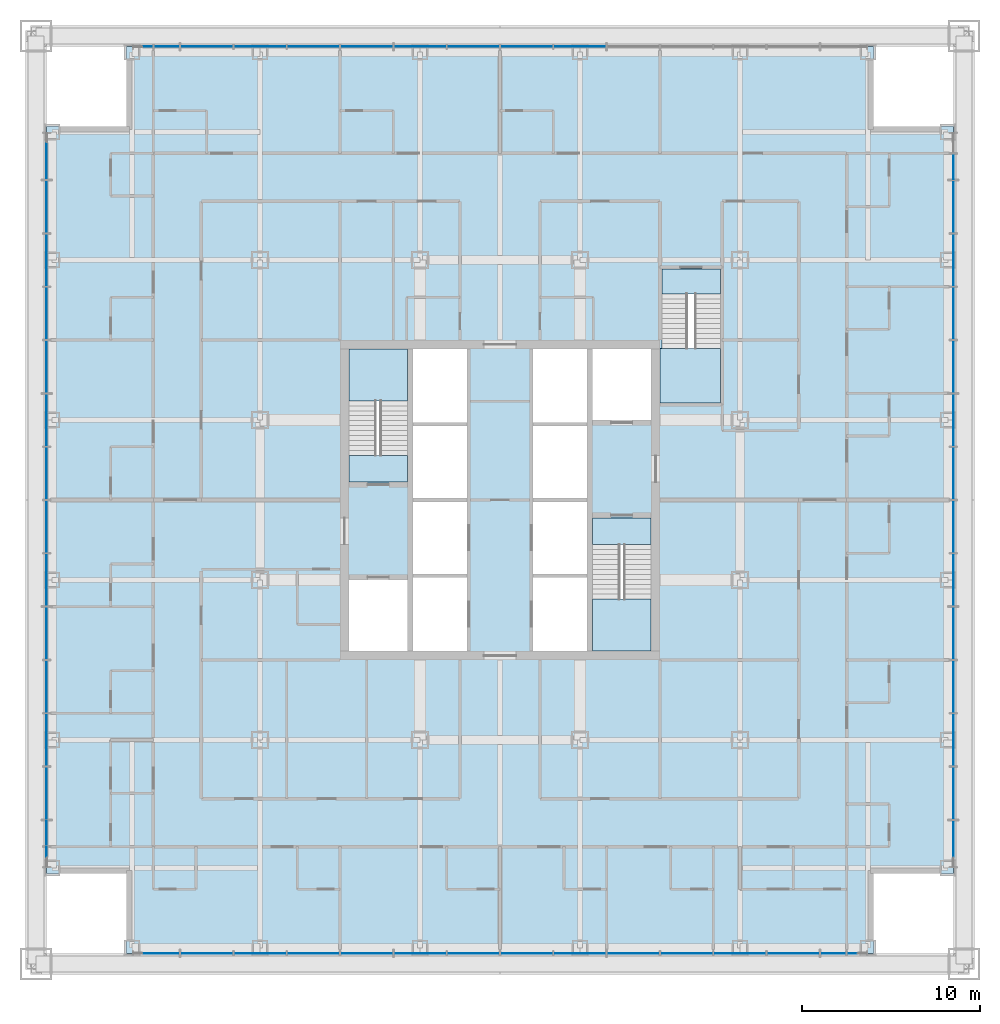
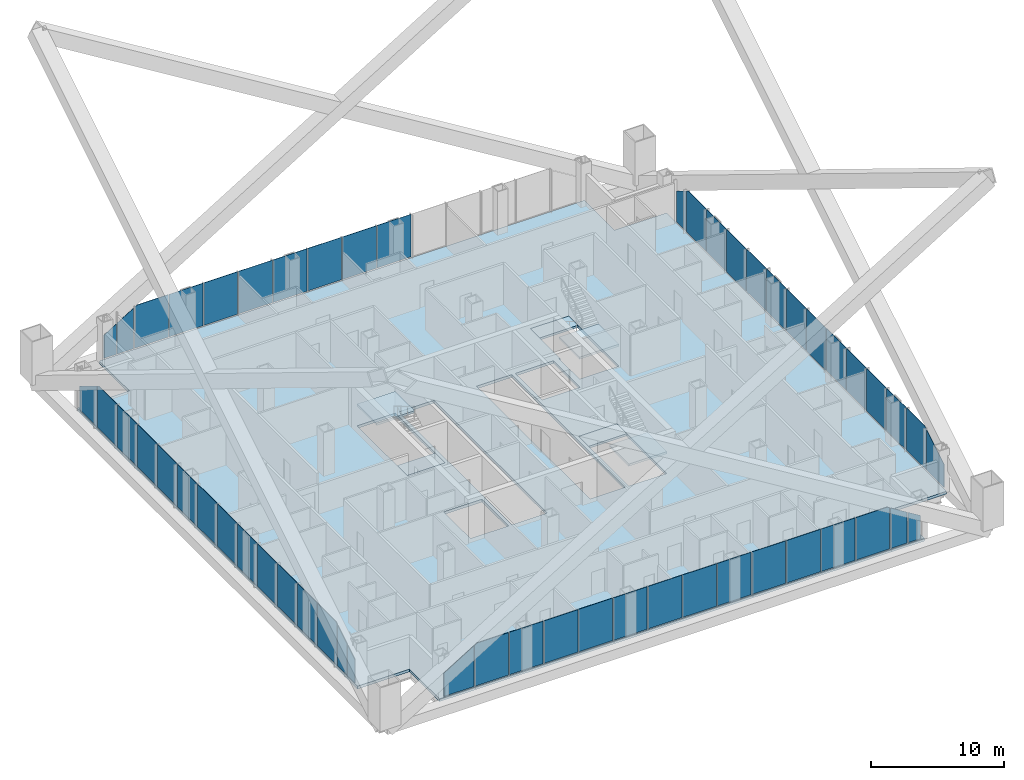
# One storey, part 11 of 21: 54 plates, 7 slabs, 7 elements without a shape of their own.
"""IFC4 building model written with IfcOpenShell, lengths in metres."""

from ifc_helpers import new_model, si_unit, direction, frame, origin, origin_2d, place, context, subcontext, project, spatial, polyline, rectangle, outline, extrude, material, layer, layer_set, type_object, element, aggregate, save


model = new_model("IFC4")

# Units and contexts
model_context = context("Model", 3, precision=1e-05, world=origin(), true_north=direction((0.0, 1.0)))
body_context = subcontext(model_context, "Body", "Model", "MODEL_VIEW")
ifc_project = project(units=[si_unit("LENGTHUNIT", "METRE"), si_unit("AREAUNIT", "SQUARE_METRE"), si_unit("VOLUMEUNIT", "CUBIC_METRE"), si_unit("PLANEANGLEUNIT", "RADIAN"), si_unit("MASSUNIT", "GRAM", prefix="KILO")], contexts=[model_context])

# Site, building, storey
site_placement = place(None, origin())
site = spatial("IfcSite", under=ifc_project, at=site_placement, CompositionType="ELEMENT")
building_placement = place(site_placement, origin())
building = spatial("IfcBuilding", under=site, at=building_placement, Name="Malebo Sky Hospital", CompositionType="ELEMENT")
storey_placement = place(building_placement, frame((0.0, 0.0, 31.0)))
storey = spatial("IfcBuildingStorey", under=building, at=storey_placement, Name="L06", CompositionType="ELEMENT", Elevation=31.0)

# Slab
ifc_material_1 = material(Name="Concrete C40/50", Category="concrete")
ifc_layer_1 = layer(ifc_material_1, 0.25)
ifc_layer_set_1 = layer_set([ifc_layer_1], Name="COMPOSITE FLOOR SLAB 250")
slab_type_1 = type_object("IfcSlabType", Name="COMPOSITE FLOOR SLAB 250", PredefinedType="FLOOR", material=ifc_layer_set_1)
slab_1_placement = place(storey_placement, frame((0.0, 0.0, -0.25)))
element("IfcSlab", 1, at=slab_1_placement, inside=storey, type_object=slab_type_1, Name="Floor slab L06", PredefinedType="FLOOR", context=body_context, shape_type="SweptSolid", body=[
    extrude(outline(polyline([(39.0, 87.5), (39.0, 83.0), (34.5, 83.0), (34.5, 41.0), (39.0, 41.0), (39.0, 36.5), (81.0, 36.5), (81.0, 41.0), (85.5, 41.0), (85.5, 83.0), (81.0, 83.0), (81.0, 87.5), (39.0, 87.5)]), holes=[polyline([(55.10009765625, 70.5), (58.14990234375, 70.5), (58.14990234375, 53.5), (55.10009765625, 53.5), (55.10009765625, 70.5)]), polyline([(64.89990234375, 70.5), (64.89990234375, 53.5), (61.85009765625, 53.5), (61.85009765625, 70.5), (64.89990234375, 70.5)]), polyline([(54.800048828125, 63.0), (51.5, 63.0), (51.5, 70.5), (54.800048828125, 70.5), (54.800048828125, 63.0)]), polyline([(51.5, 53.5), (51.5, 57.5), (54.800048828125, 57.5), (54.800048828125, 53.5), (51.5, 53.5)]), polyline([(65.199951171875, 61.0), (68.5, 61.0), (68.5, 53.5), (65.199951171875, 53.5), (65.199951171875, 61.0)]), polyline([(68.5, 70.5), (68.5, 66.5), (65.199951171875, 66.5), (65.199951171875, 70.5), (68.5, 70.5)]), polyline([(69.0, 67.449951171875), (69.0, 70.52001953125), (69.10009765625, 70.52001953125), (69.10009765625, 75.0), (72.39990234375, 75.0), (72.39990234375, 67.449951171875), (69.10009765625, 67.449951171875), (69.0, 67.449951171875)])]), origin(), (0.0, 0.0, 1.0), 0.25),
])

# Stair, slabs
stair_type_1 = type_object("IfcStairType", Name="HALF-TURN STAIR 1500 R167", PredefinedType="HALF_TURN_STAIR", material=ifc_material_1)
stair_1_placement = place(storey_placement, origin())
stair_1 = element("IfcStair", 2, at=stair_1_placement, inside=storey, type_object=stair_type_1, Name="Stair S1 L06 type ST1", PredefinedType="HALF_TURN_STAIR")
ifc_layer_2 = layer(ifc_material_1, 0.199951171875)
ifc_layer_set_2 = layer_set([ifc_layer_2], Name="STAIR LANDING 200")
slab_type_2 = type_object("IfcSlabType", Name="STAIR LANDING 200", PredefinedType="LANDING", material=ifc_layer_set_2)
slab_2_placement = place(storey_placement, frame((0.0, 0.0, -0.199951171875)))
slab_2 = element("IfcSlab", 3, at=slab_2_placement, type_object=slab_type_2, Name="S1 landing 1", PredefinedType="LANDING", context=body_context, shape_type="SweptSolid", body=[
    extrude(outline(polyline([(51.5, 63.0), (54.800048828125, 63.0), (54.800048828125, 64.5), (51.5, 64.5), (51.5, 63.0)])), origin(), (0.0, 0.0, 1.0), 0.199951171875),
])
slab_3_placement = place(storey_placement, frame((0.0, 0.0, 1.800048828125)))
slab_3 = element("IfcSlab", 4, at=slab_3_placement, type_object=slab_type_2, Name="S1 landing 2", PredefinedType="LANDING", context=body_context, shape_type="SweptSolid", body=[
    extrude(outline(polyline([(51.5, 67.580078125), (54.800048828125, 67.580078125), (54.800048828125, 70.5), (51.5, 70.5), (51.5, 67.580078125)])), origin(), (0.0, 0.0, 1.0), 0.199951171875),
])
aggregate(stair_1, [slab_2, slab_3])

stair_2_placement = place(storey_placement, origin())
stair_2 = element("IfcStair", 5, at=stair_2_placement, inside=storey, type_object=stair_type_1, Name="Stair S2 L06 type ST1", PredefinedType="HALF_TURN_STAIR")
slab_4_placement = place(storey_placement, frame((0.0, 0.0, -0.199951171875)))
slab_4 = element("IfcSlab", 6, at=slab_4_placement, type_object=slab_type_2, Name="S2 landing 1", PredefinedType="LANDING", context=body_context, shape_type="SweptSolid", body=[
    extrude(outline(polyline([(65.199951171875, 59.5), (68.5, 59.5), (68.5, 61.0), (65.199951171875, 61.0), (65.199951171875, 59.5)])), origin(), (0.0, 0.0, 1.0), 0.199951171875),
])
slab_5_placement = place(storey_placement, frame((0.0, 0.0, 1.800048828125)))
slab_5 = element("IfcSlab", 7, at=slab_5_placement, type_object=slab_type_2, Name="S2 landing 2", PredefinedType="LANDING", context=body_context, shape_type="SweptSolid", body=[
    extrude(outline(polyline([(65.199951171875, 53.5), (68.5, 53.5), (68.5, 56.419921875), (65.199951171875, 56.419921875), (65.199951171875, 53.5)])), origin(), (0.0, 0.0, 1.0), 0.199951171875),
])
aggregate(stair_2, [slab_4, slab_5])

stair_type_2 = type_object("IfcStairType", Name="HALF-TURN STAIR 1400 R167", PredefinedType="HALF_TURN_STAIR", material=ifc_material_1)
stair_3_placement = place(storey_placement, origin())
stair_3 = element("IfcStair", 8, at=stair_3_placement, inside=storey, type_object=stair_type_2, Name="Stair S3 L06 type ST1B", PredefinedType="HALF_TURN_STAIR")
slab_6_placement = place(storey_placement, frame((0.0, 0.0, -0.199951171875)))
slab_6 = element("IfcSlab", 9, at=slab_6_placement, type_object=slab_type_2, Name="S3 landing 1", PredefinedType="LANDING", context=body_context, shape_type="SweptSolid", body=[
    extrude(outline(polyline([(69.10009765625, 73.60009765625), (72.39990234375, 73.60009765625), (72.39990234375, 75.0), (69.10009765625, 75.0), (69.10009765625, 73.60009765625)])), origin(), (0.0, 0.0, 1.0), 0.199951171875),
])
slab_7_placement = place(storey_placement, frame((0.0, 0.0, 1.800048828125)))
slab_7 = element("IfcSlab", 10, at=slab_7_placement, type_object=slab_type_2, Name="S3 landing 2", PredefinedType="LANDING", context=body_context, shape_type="SweptSolid", body=[
    extrude(outline(polyline([(69.0, 67.449951171875), (72.39990234375, 67.449951171875), (72.39990234375, 70.52001953125), (69.0, 70.52001953125), (69.0, 67.449951171875)])), origin(), (0.0, 0.0, 1.0), 0.199951171875),
])
aggregate(stair_3, [slab_6, slab_7])

# Curtain wall, plates
ifc_material_2 = material(Name="Anodised aluminium, natural silver", Category="aluminium")
ifc_layer_3 = layer(ifc_material_2, 0.25)
ifc_layer_set_3 = layer_set([ifc_layer_3], Name="WARD CURTAIN WALL NORTH AND SOUTH")
curtain_wall_type_1 = type_object("IfcCurtainWallType", Name="WARD CURTAIN WALL NORTH AND SOUTH", PredefinedType="NOTDEFINED", material=ifc_layer_set_3)
curtain_wall_1_placement = place(storey_placement, origin())
curtain_wall_1 = element("IfcCurtainWall", 11, at=curtain_wall_1_placement, inside=storey, type_object=curtain_wall_type_1, Name="NS curtain wall N", PredefinedType="NOTDEFINED")
ifc_material_3 = material(Name="Clear low-iron double glazing", Category="glass")
ifc_layer_4 = layer(ifc_material_3, 0.031982421875)
ifc_layer_set_4 = layer_set([ifc_layer_4], Name="VISION PANEL CLEAR 32")
plate_type = type_object("IfcPlateType", Name="VISION PANEL CLEAR 32", PredefinedType="CURTAIN_PANEL", material=ifc_layer_set_4)
plate_1_placement = place(storey_placement, frame((39.918701171875, 87.5, 0.099853515625), z_axis=(0.0, 0.0, 1.0), x_axis=(1.0, 0.0, 0.0)))
plate_1 = element("IfcPlate", 12, at=plate_1_placement, type_object=plate_type, Name="Panel 1", PredefinedType="CURTAIN_PANEL", context=body_context, shape_type="SweptSolid", body=[
    extrude(outline(polyline([(-0.543701171875, 0.0), (0.543701171875, 0.0), (0.543701171875, 2.78955078125), (-0.543701171875, 2.122802734375), (-0.543701171875, 0.0)])), frame((0.0, 0.01611328125, 0.0), z_axis=(0.0, -1.0, 0.0), x_axis=(1.0, 0.0, 0.0)), (0.0, 0.0, 1.0), 0.031982421875),
])
plate_2_placement = place(storey_placement, frame((41.25, 87.5, 0.10009765625), z_axis=(0.0, 0.0, 1.0), x_axis=(1.0, 0.0, 0.0)))
plate_2 = element("IfcPlate", 13, at=plate_2_placement, type_object=plate_type, Name="Panel 2", PredefinedType="CURTAIN_PANEL", context=body_context, shape_type="SweptSolid", body=[
    extrude(outline(polyline([(-0.71240234375, 0.0), (0.71240234375, 0.0), (0.71240234375, 3.708984375), (-0.71240234375, 2.83544921875), (-0.71240234375, 0.0)])), frame((0.0, 0.01611328125, 0.0), z_axis=(0.0, -1.0, 0.0), x_axis=(1.0, 0.0, 0.0)), (0.0, 0.0, 1.0), 0.031982421875),
])
plate_3_placement = place(storey_placement, frame((43.5, 87.5, 0.10009765625), z_axis=(0.0, 0.0, 1.0), x_axis=(1.0, 0.0, 0.0)))
plate_3 = element("IfcPlate", 14, at=plate_3_placement, type_object=plate_type, Name="Panel 3", PredefinedType="CURTAIN_PANEL", context=body_context, shape_type="SweptSolid", body=[
    extrude(outline(polyline([(-1.46240234375, 0.0), (1.46240234375, 0.0), (1.46240234375, 3.889892578125), (-1.2421875, 3.889892578125), (-1.46240234375, 3.7548828125), (-1.46240234375, 0.0)])), frame((0.0, 0.01611328125, 0.0), z_axis=(0.0, -1.0, 0.0), x_axis=(1.0, 0.0, 0.0)), (0.0, 0.0, 1.0), 0.031982421875),
])
plate_4_placement = place(storey_placement, frame((46.5, 87.5, 0.10009765625), z_axis=(0.0, 0.0, 1.0), x_axis=(1.0, 0.0, 0.0)))
plate_4 = element("IfcPlate", 15, at=plate_4_placement, type_object=plate_type, Name="Panel 4", PredefinedType="CURTAIN_PANEL", context=body_context, shape_type="SweptSolid", body=[
    extrude(rectangle(XDim=2.925048828125, YDim=0.031982421875, at=origin_2d()), origin(), (0.0, 0.0, 1.0), 3.889892578125),
])
plate_5_placement = place(storey_placement, frame((49.5, 87.5, 0.10009765625), z_axis=(0.0, 0.0, 1.0), x_axis=(1.0, 0.0, 0.0)))
plate_5 = element("IfcPlate", 16, at=plate_5_placement, type_object=plate_type, Name="Panel 5", PredefinedType="CURTAIN_PANEL", context=body_context, shape_type="SweptSolid", body=[
    extrude(rectangle(XDim=2.925048828125, YDim=0.031982421875, at=origin_2d()), origin(), (0.0, 0.0, 1.0), 3.889892578125),
])
plate_6_placement = place(storey_placement, frame((52.5, 87.5, 0.10009765625), z_axis=(0.0, 0.0, 1.0), x_axis=(1.0, 0.0, 0.0)))
plate_6 = element("IfcPlate", 17, at=plate_6_placement, type_object=plate_type, Name="Panel 6", PredefinedType="CURTAIN_PANEL", context=body_context, shape_type="SweptSolid", body=[
    extrude(rectangle(XDim=2.925048828125, YDim=0.031982421875, at=origin_2d()), origin(), (0.0, 0.0, 1.0), 3.889892578125),
])
plate_7_placement = place(storey_placement, frame((55.5, 87.5, 0.10009765625), z_axis=(0.0, 0.0, 1.0), x_axis=(1.0, 0.0, 0.0)))
plate_7 = element("IfcPlate", 18, at=plate_7_placement, type_object=plate_type, Name="Panel 7", PredefinedType="CURTAIN_PANEL", context=body_context, shape_type="SweptSolid", body=[
    extrude(rectangle(XDim=2.925048828125, YDim=0.031982421875, at=origin_2d()), origin(), (0.0, 0.0, 1.0), 3.889892578125),
])
plate_8_placement = place(storey_placement, frame((58.5, 87.5, 0.10009765625), z_axis=(0.0, 0.0, 1.0), x_axis=(1.0, 0.0, 0.0)))
plate_8 = element("IfcPlate", 19, at=plate_8_placement, type_object=plate_type, Name="Panel 8", PredefinedType="CURTAIN_PANEL", context=body_context, shape_type="SweptSolid", body=[
    extrude(rectangle(XDim=2.925048828125, YDim=0.031982421875, at=origin_2d()), origin(), (0.0, 0.0, 1.0), 3.889892578125),
])
plate_9_placement = place(storey_placement, frame((61.5, 87.5, 0.10009765625), z_axis=(0.0, 0.0, 1.0), x_axis=(1.0, 0.0, 0.0)))
plate_9 = element("IfcPlate", 20, at=plate_9_placement, type_object=plate_type, Name="Panel 9", PredefinedType="CURTAIN_PANEL", context=body_context, shape_type="SweptSolid", body=[
    extrude(rectangle(XDim=2.925048828125, YDim=0.031982421875, at=origin_2d()), origin(), (0.0, 0.0, 1.0), 3.889892578125),
])
plate_10_placement = place(storey_placement, frame((64.5, 87.5, 0.10009765625), z_axis=(0.0, 0.0, 1.0), x_axis=(1.0, 0.0, 0.0)))
plate_10 = element("IfcPlate", 21, at=plate_10_placement, type_object=plate_type, Name="Panel 10", PredefinedType="CURTAIN_PANEL", context=body_context, shape_type="SweptSolid", body=[
    extrude(rectangle(XDim=2.925048828125, YDim=0.031982421875, at=origin_2d()), origin(), (0.0, 0.0, 1.0), 3.889892578125),
])
aggregate(curtain_wall_1, [plate_1, plate_2, plate_3, plate_4, plate_5, plate_6, plate_7, plate_8, plate_9, plate_10])

ifc_layer_5 = layer(ifc_material_2, 0.25)
ifc_layer_set_5 = layer_set([ifc_layer_5], Name="WARD CURTAIN WALL EAST AND WEST")
curtain_wall_type_2 = type_object("IfcCurtainWallType", Name="WARD CURTAIN WALL EAST AND WEST", PredefinedType="NOTDEFINED", material=ifc_layer_set_5)
curtain_wall_2_placement = place(storey_placement, origin())
curtain_wall_2 = element("IfcCurtainWall", 22, at=curtain_wall_2_placement, inside=storey, type_object=curtain_wall_type_2, Name="EW curtain wall W", PredefinedType="NOTDEFINED")
plate_11_placement = place(storey_placement, frame((34.5, 41.918701171875, 0.099853515625), z_axis=(0.0, 0.0, 1.0), x_axis=(0.0, 1.0, 0.0)))
plate_11 = element("IfcPlate", 23, at=plate_11_placement, type_object=plate_type, Name="Panel 1", PredefinedType="CURTAIN_PANEL", context=body_context, shape_type="SweptSolid", body=[
    extrude(outline(polyline([(-0.543701171875, 0.0), (0.543701171875, 0.0), (0.543701171875, 2.78955078125), (-0.543701171875, 2.122802734375), (-0.543701171875, 0.0)])), frame((0.0, 0.01611328125, 0.0), z_axis=(0.0, -1.0, 0.0), x_axis=(1.0, 0.0, 0.0)), (0.0, 0.0, 1.0), 0.031982421875),
])
plate_12_placement = place(storey_placement, frame((34.5, 43.25, 0.10009765625), z_axis=(0.0, 0.0, 1.0), x_axis=(0.0, 1.0, 0.0)))
plate_12 = element("IfcPlate", 24, at=plate_12_placement, type_object=plate_type, Name="Panel 2", PredefinedType="CURTAIN_PANEL", context=body_context, shape_type="SweptSolid", body=[
    extrude(outline(polyline([(-0.71240234375, 0.0), (0.71240234375, 0.0), (0.71240234375, 3.708984375), (-0.71240234375, 2.83544921875), (-0.71240234375, 0.0)])), frame((0.0, 0.01611328125, 0.0), z_axis=(0.0, -1.0, 0.0), x_axis=(1.0, 0.0, 0.0)), (0.0, 0.0, 1.0), 0.031982421875),
])
plate_13_placement = place(storey_placement, frame((34.5, 45.5, 0.10009765625), z_axis=(0.0, 0.0, 1.0), x_axis=(0.0, 1.0, 0.0)))
plate_13 = element("IfcPlate", 25, at=plate_13_placement, type_object=plate_type, Name="Panel 3", PredefinedType="CURTAIN_PANEL", context=body_context, shape_type="SweptSolid", body=[
    extrude(outline(polyline([(-1.46240234375, 0.0), (1.46240234375, 0.0), (1.46240234375, 3.889892578125), (-1.2421875, 3.889892578125), (-1.46240234375, 3.7548828125), (-1.46240234375, 0.0)])), frame((0.0, 0.01611328125, 0.0), z_axis=(0.0, -1.0, 0.0), x_axis=(1.0, 0.0, 0.0)), (0.0, 0.0, 1.0), 0.031982421875),
])
plate_14_placement = place(storey_placement, frame((34.5, 48.5, 0.10009765625), z_axis=(0.0, 0.0, 1.0), x_axis=(0.0, 1.0, 0.0)))
plate_14 = element("IfcPlate", 26, at=plate_14_placement, type_object=plate_type, Name="Panel 4", PredefinedType="CURTAIN_PANEL", context=body_context, shape_type="SweptSolid", body=[
    extrude(rectangle(XDim=2.925048828125, YDim=0.031982421875, at=origin_2d()), origin(), (0.0, 0.0, 1.0), 3.889892578125),
])
plate_15_placement = place(storey_placement, frame((34.5, 51.5, 0.10009765625), z_axis=(0.0, 0.0, 1.0), x_axis=(0.0, 1.0, 0.0)))
plate_15 = element("IfcPlate", 27, at=plate_15_placement, type_object=plate_type, Name="Panel 5", PredefinedType="CURTAIN_PANEL", context=body_context, shape_type="SweptSolid", body=[
    extrude(rectangle(XDim=2.925048828125, YDim=0.031982421875, at=origin_2d()), origin(), (0.0, 0.0, 1.0), 3.889892578125),
])
plate_16_placement = place(storey_placement, frame((34.5, 54.5, 0.10009765625), z_axis=(0.0, 0.0, 1.0), x_axis=(0.0, 1.0, 0.0)))
plate_16 = element("IfcPlate", 28, at=plate_16_placement, type_object=plate_type, Name="Panel 6", PredefinedType="CURTAIN_PANEL", context=body_context, shape_type="SweptSolid", body=[
    extrude(rectangle(XDim=2.925048828125, YDim=0.031982421875, at=origin_2d()), origin(), (0.0, 0.0, 1.0), 3.889892578125),
])
plate_17_placement = place(storey_placement, frame((34.5, 57.5, 0.10009765625), z_axis=(0.0, 0.0, 1.0), x_axis=(0.0, 1.0, 0.0)))
plate_17 = element("IfcPlate", 29, at=plate_17_placement, type_object=plate_type, Name="Panel 7", PredefinedType="CURTAIN_PANEL", context=body_context, shape_type="SweptSolid", body=[
    extrude(rectangle(XDim=2.925048828125, YDim=0.031982421875, at=origin_2d()), origin(), (0.0, 0.0, 1.0), 3.889892578125),
])
plate_18_placement = place(storey_placement, frame((34.5, 60.5, 0.10009765625), z_axis=(0.0, 0.0, 1.0), x_axis=(0.0, 1.0, 0.0)))
plate_18 = element("IfcPlate", 30, at=plate_18_placement, type_object=plate_type, Name="Panel 8", PredefinedType="CURTAIN_PANEL", context=body_context, shape_type="SweptSolid", body=[
    extrude(rectangle(XDim=2.925048828125, YDim=0.031982421875, at=origin_2d()), origin(), (0.0, 0.0, 1.0), 3.889892578125),
])
plate_19_placement = place(storey_placement, frame((34.5, 63.5, 0.10009765625), z_axis=(0.0, 0.0, 1.0), x_axis=(0.0, 1.0, 0.0)))
plate_19 = element("IfcPlate", 31, at=plate_19_placement, type_object=plate_type, Name="Panel 9", PredefinedType="CURTAIN_PANEL", context=body_context, shape_type="SweptSolid", body=[
    extrude(rectangle(XDim=2.925048828125, YDim=0.031982421875, at=origin_2d()), origin(), (0.0, 0.0, 1.0), 3.889892578125),
])
plate_20_placement = place(storey_placement, frame((34.5, 66.5, 0.10009765625), z_axis=(0.0, 0.0, 1.0), x_axis=(0.0, 1.0, 0.0)))
plate_20 = element("IfcPlate", 32, at=plate_20_placement, type_object=plate_type, Name="Panel 10", PredefinedType="CURTAIN_PANEL", context=body_context, shape_type="SweptSolid", body=[
    extrude(rectangle(XDim=2.925048828125, YDim=0.031982421875, at=origin_2d()), origin(), (0.0, 0.0, 1.0), 3.889892578125),
])
plate_21_placement = place(storey_placement, frame((34.5, 69.5, 0.10009765625), z_axis=(0.0, 0.0, 1.0), x_axis=(0.0, 1.0, 0.0)))
plate_21 = element("IfcPlate", 33, at=plate_21_placement, type_object=plate_type, Name="Panel 11", PredefinedType="CURTAIN_PANEL", context=body_context, shape_type="SweptSolid", body=[
    extrude(rectangle(XDim=2.925048828125, YDim=0.031982421875, at=origin_2d()), origin(), (0.0, 0.0, 1.0), 3.889892578125),
])
plate_22_placement = place(storey_placement, frame((34.5, 72.5, 0.10009765625), z_axis=(0.0, 0.0, 1.0), x_axis=(0.0, 1.0, 0.0)))
plate_22 = element("IfcPlate", 34, at=plate_22_placement, type_object=plate_type, Name="Panel 12", PredefinedType="CURTAIN_PANEL", context=body_context, shape_type="SweptSolid", body=[
    extrude(rectangle(XDim=2.925048828125, YDim=0.031982421875, at=origin_2d()), origin(), (0.0, 0.0, 1.0), 3.889892578125),
])
plate_23_placement = place(storey_placement, frame((34.5, 75.5, 0.10009765625), z_axis=(0.0, 0.0, 1.0), x_axis=(0.0, 1.0, 0.0)))
plate_23 = element("IfcPlate", 35, at=plate_23_placement, type_object=plate_type, Name="Panel 13", PredefinedType="CURTAIN_PANEL", context=body_context, shape_type="SweptSolid", body=[
    extrude(rectangle(XDim=2.925048828125, YDim=0.031982421875, at=origin_2d()), origin(), (0.0, 0.0, 1.0), 3.889892578125),
])
plate_24_placement = place(storey_placement, frame((34.5, 78.5, 0.10009765625), z_axis=(0.0, 0.0, 1.0), x_axis=(0.0, 1.0, 0.0)))
plate_24 = element("IfcPlate", 36, at=plate_24_placement, type_object=plate_type, Name="Panel 14", PredefinedType="CURTAIN_PANEL", context=body_context, shape_type="SweptSolid", body=[
    extrude(outline(polyline([(-1.46240234375, 0.0), (1.46240234375, 0.0), (1.46240234375, 3.7548828125), (1.2421875, 3.889892578125), (-1.46240234375, 3.889892578125), (-1.46240234375, 0.0)])), frame((0.0, 0.01611328125, 0.0), z_axis=(0.0, -1.0, 0.0), x_axis=(1.0, 0.0, 0.0)), (0.0, 0.0, 1.0), 0.031982421875),
])
plate_25_placement = place(storey_placement, frame((34.5, 81.331298828125, 0.10009765625), z_axis=(0.0, 0.0, 1.0), x_axis=(0.0, 1.0, 0.0)))
plate_25 = element("IfcPlate", 37, at=plate_25_placement, type_object=plate_type, Name="Panel 15", PredefinedType="CURTAIN_PANEL", context=body_context, shape_type="SweptSolid", body=[
    extrude(outline(polyline([(-1.293701171875, 0.0), (1.293701171875, 0.0), (1.293701171875, 2.122802734375), (-1.293701171875, 3.708984375), (-1.293701171875, 0.0)])), frame((0.0, 0.01611328125, 0.0), z_axis=(0.0, -1.0, 0.0), x_axis=(1.0, 0.0, 0.0)), (0.0, 0.0, 1.0), 0.031982421875),
])
aggregate(curtain_wall_2, [plate_11, plate_12, plate_13, plate_14, plate_15, plate_16, plate_17, plate_18, plate_19, plate_20, plate_21, plate_22, plate_23, plate_24, plate_25])

curtain_wall_3_placement = place(storey_placement, origin())
curtain_wall_3 = element("IfcCurtainWall", 38, at=curtain_wall_3_placement, inside=storey, type_object=curtain_wall_type_1, Name="NS curtain wall S", PredefinedType="NOTDEFINED")
plate_26_placement = place(storey_placement, frame((80.081298828125, 36.5, 0.099853515625), z_axis=(0.0, 0.0, 1.0), x_axis=(-1.0, 0.0, 0.0)))
plate_26 = element("IfcPlate", 39, at=plate_26_placement, type_object=plate_type, Name="Panel 1", PredefinedType="CURTAIN_PANEL", context=body_context, shape_type="SweptSolid", body=[
    extrude(outline(polyline([(-0.543701171875, 0.0), (0.543701171875, 0.0), (0.543701171875, 2.78955078125), (-0.543701171875, 2.122802734375), (-0.543701171875, 0.0)])), frame((0.0, 0.01611328125, 0.0), z_axis=(0.0, -1.0, 0.0), x_axis=(1.0, 0.0, 0.0)), (0.0, 0.0, 1.0), 0.031982421875),
])
plate_27_placement = place(storey_placement, frame((78.75, 36.5, 0.10009765625), z_axis=(0.0, 0.0, 1.0), x_axis=(-1.0, 0.0, 0.0)))
plate_27 = element("IfcPlate", 40, at=plate_27_placement, type_object=plate_type, Name="Panel 2", PredefinedType="CURTAIN_PANEL", context=body_context, shape_type="SweptSolid", body=[
    extrude(outline(polyline([(-0.71240234375, 0.0), (0.71240234375, 0.0), (0.71240234375, 3.708984375), (-0.71240234375, 2.83544921875), (-0.71240234375, 0.0)])), frame((0.0, 0.01611328125, 0.0), z_axis=(0.0, -1.0, 0.0), x_axis=(1.0, 0.0, 0.0)), (0.0, 0.0, 1.0), 0.031982421875),
])
plate_28_placement = place(storey_placement, frame((76.5, 36.5, 0.10009765625), z_axis=(0.0, 0.0, 1.0), x_axis=(-1.0, 0.0, 0.0)))
plate_28 = element("IfcPlate", 41, at=plate_28_placement, type_object=plate_type, Name="Panel 3", PredefinedType="CURTAIN_PANEL", context=body_context, shape_type="SweptSolid", body=[
    extrude(outline(polyline([(-1.46240234375, 0.0), (1.46240234375, 0.0), (1.46240234375, 3.889892578125), (-1.2421875, 3.889892578125), (-1.46240234375, 3.7548828125), (-1.46240234375, 0.0)])), frame((0.0, 0.01611328125, 0.0), z_axis=(0.0, -1.0, 0.0), x_axis=(1.0, 0.0, 0.0)), (0.0, 0.0, 1.0), 0.031982421875),
])
plate_29_placement = place(storey_placement, frame((73.5, 36.5, 0.10009765625), z_axis=(0.0, 0.0, 1.0), x_axis=(-1.0, 0.0, 0.0)))
plate_29 = element("IfcPlate", 42, at=plate_29_placement, type_object=plate_type, Name="Panel 4", PredefinedType="CURTAIN_PANEL", context=body_context, shape_type="SweptSolid", body=[
    extrude(rectangle(XDim=2.925048828125, YDim=0.031982421875, at=origin_2d()), origin(), (0.0, 0.0, 1.0), 3.889892578125),
])
plate_30_placement = place(storey_placement, frame((70.5, 36.5, 0.10009765625), z_axis=(0.0, 0.0, 1.0), x_axis=(-1.0, 0.0, 0.0)))
plate_30 = element("IfcPlate", 43, at=plate_30_placement, type_object=plate_type, Name="Panel 5", PredefinedType="CURTAIN_PANEL", context=body_context, shape_type="SweptSolid", body=[
    extrude(rectangle(XDim=2.925048828125, YDim=0.031982421875, at=origin_2d()), origin(), (0.0, 0.0, 1.0), 3.889892578125),
])
plate_31_placement = place(storey_placement, frame((67.5, 36.5, 0.10009765625), z_axis=(0.0, 0.0, 1.0), x_axis=(-1.0, 0.0, 0.0)))
plate_31 = element("IfcPlate", 44, at=plate_31_placement, type_object=plate_type, Name="Panel 6", PredefinedType="CURTAIN_PANEL", context=body_context, shape_type="SweptSolid", body=[
    extrude(rectangle(XDim=2.925048828125, YDim=0.031982421875, at=origin_2d()), origin(), (0.0, 0.0, 1.0), 3.889892578125),
])
plate_32_placement = place(storey_placement, frame((64.5, 36.5, 0.10009765625), z_axis=(0.0, 0.0, 1.0), x_axis=(-1.0, 0.0, 0.0)))
plate_32 = element("IfcPlate", 45, at=plate_32_placement, type_object=plate_type, Name="Panel 7", PredefinedType="CURTAIN_PANEL", context=body_context, shape_type="SweptSolid", body=[
    extrude(rectangle(XDim=2.925048828125, YDim=0.031982421875, at=origin_2d()), origin(), (0.0, 0.0, 1.0), 3.889892578125),
])
plate_33_placement = place(storey_placement, frame((61.5, 36.5, 0.10009765625), z_axis=(0.0, 0.0, 1.0), x_axis=(-1.0, 0.0, 0.0)))
plate_33 = element("IfcPlate", 46, at=plate_33_placement, type_object=plate_type, Name="Panel 8", PredefinedType="CURTAIN_PANEL", context=body_context, shape_type="SweptSolid", body=[
    extrude(rectangle(XDim=2.925048828125, YDim=0.031982421875, at=origin_2d()), origin(), (0.0, 0.0, 1.0), 3.889892578125),
])
plate_34_placement = place(storey_placement, frame((58.5, 36.5, 0.10009765625), z_axis=(0.0, 0.0, 1.0), x_axis=(-1.0, 0.0, 0.0)))
plate_34 = element("IfcPlate", 47, at=plate_34_placement, type_object=plate_type, Name="Panel 9", PredefinedType="CURTAIN_PANEL", context=body_context, shape_type="SweptSolid", body=[
    extrude(rectangle(XDim=2.925048828125, YDim=0.031982421875, at=origin_2d()), origin(), (0.0, 0.0, 1.0), 3.889892578125),
])
plate_35_placement = place(storey_placement, frame((55.5, 36.5, 0.10009765625), z_axis=(0.0, 0.0, 1.0), x_axis=(-1.0, 0.0, 0.0)))
plate_35 = element("IfcPlate", 48, at=plate_35_placement, type_object=plate_type, Name="Panel 10", PredefinedType="CURTAIN_PANEL", context=body_context, shape_type="SweptSolid", body=[
    extrude(rectangle(XDim=2.925048828125, YDim=0.031982421875, at=origin_2d()), origin(), (0.0, 0.0, 1.0), 3.889892578125),
])
plate_36_placement = place(storey_placement, frame((52.5, 36.5, 0.10009765625), z_axis=(0.0, 0.0, 1.0), x_axis=(-1.0, 0.0, 0.0)))
plate_36 = element("IfcPlate", 49, at=plate_36_placement, type_object=plate_type, Name="Panel 11", PredefinedType="CURTAIN_PANEL", context=body_context, shape_type="SweptSolid", body=[
    extrude(rectangle(XDim=2.925048828125, YDim=0.031982421875, at=origin_2d()), origin(), (0.0, 0.0, 1.0), 3.889892578125),
])
plate_37_placement = place(storey_placement, frame((49.5, 36.5, 0.10009765625), z_axis=(0.0, 0.0, 1.0), x_axis=(-1.0, 0.0, 0.0)))
plate_37 = element("IfcPlate", 50, at=plate_37_placement, type_object=plate_type, Name="Panel 12", PredefinedType="CURTAIN_PANEL", context=body_context, shape_type="SweptSolid", body=[
    extrude(rectangle(XDim=2.925048828125, YDim=0.031982421875, at=origin_2d()), origin(), (0.0, 0.0, 1.0), 3.889892578125),
])
plate_38_placement = place(storey_placement, frame((46.5, 36.5, 0.10009765625), z_axis=(0.0, 0.0, 1.0), x_axis=(-1.0, 0.0, 0.0)))
plate_38 = element("IfcPlate", 51, at=plate_38_placement, type_object=plate_type, Name="Panel 13", PredefinedType="CURTAIN_PANEL", context=body_context, shape_type="SweptSolid", body=[
    extrude(rectangle(XDim=2.925048828125, YDim=0.031982421875, at=origin_2d()), origin(), (0.0, 0.0, 1.0), 3.889892578125),
])
plate_39_placement = place(storey_placement, frame((43.5, 36.5, 0.10009765625), z_axis=(0.0, 0.0, 1.0), x_axis=(-1.0, 0.0, 0.0)))
plate_39 = element("IfcPlate", 52, at=plate_39_placement, type_object=plate_type, Name="Panel 14", PredefinedType="CURTAIN_PANEL", context=body_context, shape_type="SweptSolid", body=[
    extrude(outline(polyline([(-1.46240234375, 0.0), (1.46240234375, 0.0), (1.46240234375, 3.7548828125), (1.2421875, 3.889892578125), (-1.46240234375, 3.889892578125), (-1.46240234375, 0.0)])), frame((0.0, 0.01611328125, 0.0), z_axis=(0.0, -1.0, 0.0), x_axis=(1.0, 0.0, 0.0)), (0.0, 0.0, 1.0), 0.031982421875),
])
plate_40_placement = place(storey_placement, frame((40.668701171875, 36.5, 0.10009765625), z_axis=(0.0, 0.0, 1.0), x_axis=(-1.0, 0.0, 0.0)))
plate_40 = element("IfcPlate", 53, at=plate_40_placement, type_object=plate_type, Name="Panel 15", PredefinedType="CURTAIN_PANEL", context=body_context, shape_type="SweptSolid", body=[
    extrude(outline(polyline([(-1.293701171875, 0.0), (1.293701171875, 0.0), (1.293701171875, 2.122802734375), (-1.293701171875, 3.708984375), (-1.293701171875, 0.0)])), frame((0.0, 0.01611328125, 0.0), z_axis=(0.0, -1.0, 0.0), x_axis=(1.0, 0.0, 0.0)), (0.0, 0.0, 1.0), 0.031982421875),
])
aggregate(curtain_wall_3, [plate_26, plate_27, plate_28, plate_29, plate_30, plate_31, plate_32, plate_33, plate_34, plate_35, plate_36, plate_37, plate_38, plate_39, plate_40])

curtain_wall_4_placement = place(storey_placement, origin())
curtain_wall_4 = element("IfcCurtainWall", 54, at=curtain_wall_4_placement, inside=storey, type_object=curtain_wall_type_2, Name="EW curtain wall E", PredefinedType="NOTDEFINED")
plate_41_placement = place(storey_placement, frame((85.5, 80.75, 0.10009765625), z_axis=(0.0, 0.0, 1.0), x_axis=(0.0, -1.0, 0.0)))
plate_41 = element("IfcPlate", 55, at=plate_41_placement, type_object=plate_type, Name="Panel 2", PredefinedType="CURTAIN_PANEL", context=body_context, shape_type="SweptSolid", body=[
    extrude(outline(polyline([(-0.71240234375, 0.0), (0.71240234375, 0.0), (0.71240234375, 3.708984375), (-0.71240234375, 2.83544921875), (-0.71240234375, 0.0)])), frame((0.0, 0.01611328125, 0.0), z_axis=(0.0, -1.0, 0.0), x_axis=(1.0, 0.0, 0.0)), (0.0, 0.0, 1.0), 0.031982421875),
])
plate_42_placement = place(storey_placement, frame((85.5, 78.5, 0.10009765625), z_axis=(0.0, 0.0, 1.0), x_axis=(0.0, -1.0, 0.0)))
plate_42 = element("IfcPlate", 56, at=plate_42_placement, type_object=plate_type, Name="Panel 3", PredefinedType="CURTAIN_PANEL", context=body_context, shape_type="SweptSolid", body=[
    extrude(outline(polyline([(-1.46240234375, 0.0), (1.46240234375, 0.0), (1.46240234375, 3.889892578125), (-1.2421875, 3.889892578125), (-1.46240234375, 3.7548828125), (-1.46240234375, 0.0)])), frame((0.0, 0.01611328125, 0.0), z_axis=(0.0, -1.0, 0.0), x_axis=(1.0, 0.0, 0.0)), (0.0, 0.0, 1.0), 0.031982421875),
])
plate_43_placement = place(storey_placement, frame((85.5, 75.5, 0.10009765625), z_axis=(0.0, 0.0, 1.0), x_axis=(0.0, -1.0, 0.0)))
plate_43 = element("IfcPlate", 57, at=plate_43_placement, type_object=plate_type, Name="Panel 4", PredefinedType="CURTAIN_PANEL", context=body_context, shape_type="SweptSolid", body=[
    extrude(rectangle(XDim=2.925048828125, YDim=0.031982421875, at=origin_2d()), origin(), (0.0, 0.0, 1.0), 3.889892578125),
])
plate_44_placement = place(storey_placement, frame((85.5, 72.5, 0.10009765625), z_axis=(0.0, 0.0, 1.0), x_axis=(0.0, -1.0, 0.0)))
plate_44 = element("IfcPlate", 58, at=plate_44_placement, type_object=plate_type, Name="Panel 5", PredefinedType="CURTAIN_PANEL", context=body_context, shape_type="SweptSolid", body=[
    extrude(rectangle(XDim=2.925048828125, YDim=0.031982421875, at=origin_2d()), origin(), (0.0, 0.0, 1.0), 3.889892578125),
])
plate_45_placement = place(storey_placement, frame((85.5, 69.5, 0.10009765625), z_axis=(0.0, 0.0, 1.0), x_axis=(0.0, -1.0, 0.0)))
plate_45 = element("IfcPlate", 59, at=plate_45_placement, type_object=plate_type, Name="Panel 6", PredefinedType="CURTAIN_PANEL", context=body_context, shape_type="SweptSolid", body=[
    extrude(rectangle(XDim=2.925048828125, YDim=0.031982421875, at=origin_2d()), origin(), (0.0, 0.0, 1.0), 3.889892578125),
])
plate_46_placement = place(storey_placement, frame((85.5, 66.5, 0.10009765625), z_axis=(0.0, 0.0, 1.0), x_axis=(0.0, -1.0, 0.0)))
plate_46 = element("IfcPlate", 60, at=plate_46_placement, type_object=plate_type, Name="Panel 7", PredefinedType="CURTAIN_PANEL", context=body_context, shape_type="SweptSolid", body=[
    extrude(rectangle(XDim=2.925048828125, YDim=0.031982421875, at=origin_2d()), origin(), (0.0, 0.0, 1.0), 3.889892578125),
])
plate_47_placement = place(storey_placement, frame((85.5, 63.5, 0.10009765625), z_axis=(0.0, 0.0, 1.0), x_axis=(0.0, -1.0, 0.0)))
plate_47 = element("IfcPlate", 61, at=plate_47_placement, type_object=plate_type, Name="Panel 8", PredefinedType="CURTAIN_PANEL", context=body_context, shape_type="SweptSolid", body=[
    extrude(rectangle(XDim=2.925048828125, YDim=0.031982421875, at=origin_2d()), origin(), (0.0, 0.0, 1.0), 3.889892578125),
])
plate_48_placement = place(storey_placement, frame((85.5, 60.5, 0.10009765625), z_axis=(0.0, 0.0, 1.0), x_axis=(0.0, -1.0, 0.0)))
plate_48 = element("IfcPlate", 62, at=plate_48_placement, type_object=plate_type, Name="Panel 9", PredefinedType="CURTAIN_PANEL", context=body_context, shape_type="SweptSolid", body=[
    extrude(rectangle(XDim=2.925048828125, YDim=0.031982421875, at=origin_2d()), origin(), (0.0, 0.0, 1.0), 3.889892578125),
])
plate_49_placement = place(storey_placement, frame((85.5, 57.5, 0.10009765625), z_axis=(0.0, 0.0, 1.0), x_axis=(0.0, -1.0, 0.0)))
plate_49 = element("IfcPlate", 63, at=plate_49_placement, type_object=plate_type, Name="Panel 10", PredefinedType="CURTAIN_PANEL", context=body_context, shape_type="SweptSolid", body=[
    extrude(rectangle(XDim=2.925048828125, YDim=0.031982421875, at=origin_2d()), origin(), (0.0, 0.0, 1.0), 3.889892578125),
])
plate_50_placement = place(storey_placement, frame((85.5, 54.5, 0.10009765625), z_axis=(0.0, 0.0, 1.0), x_axis=(0.0, -1.0, 0.0)))
plate_50 = element("IfcPlate", 64, at=plate_50_placement, type_object=plate_type, Name="Panel 11", PredefinedType="CURTAIN_PANEL", context=body_context, shape_type="SweptSolid", body=[
    extrude(rectangle(XDim=2.925048828125, YDim=0.031982421875, at=origin_2d()), origin(), (0.0, 0.0, 1.0), 3.889892578125),
])
plate_51_placement = place(storey_placement, frame((85.5, 51.5, 0.10009765625), z_axis=(0.0, 0.0, 1.0), x_axis=(0.0, -1.0, 0.0)))
plate_51 = element("IfcPlate", 65, at=plate_51_placement, type_object=plate_type, Name="Panel 12", PredefinedType="CURTAIN_PANEL", context=body_context, shape_type="SweptSolid", body=[
    extrude(rectangle(XDim=2.925048828125, YDim=0.031982421875, at=origin_2d()), origin(), (0.0, 0.0, 1.0), 3.889892578125),
])
plate_52_placement = place(storey_placement, frame((85.5, 48.5, 0.10009765625), z_axis=(0.0, 0.0, 1.0), x_axis=(0.0, -1.0, 0.0)))
plate_52 = element("IfcPlate", 66, at=plate_52_placement, type_object=plate_type, Name="Panel 13", PredefinedType="CURTAIN_PANEL", context=body_context, shape_type="SweptSolid", body=[
    extrude(rectangle(XDim=2.925048828125, YDim=0.031982421875, at=origin_2d()), origin(), (0.0, 0.0, 1.0), 3.889892578125),
])
plate_53_placement = place(storey_placement, frame((85.5, 45.5, 0.10009765625), z_axis=(0.0, 0.0, 1.0), x_axis=(0.0, -1.0, 0.0)))
plate_53 = element("IfcPlate", 67, at=plate_53_placement, type_object=plate_type, Name="Panel 14", PredefinedType="CURTAIN_PANEL", context=body_context, shape_type="SweptSolid", body=[
    extrude(outline(polyline([(-1.46240234375, 0.0), (1.46240234375, 0.0), (1.46240234375, 3.7548828125), (1.2421875, 3.889892578125), (-1.46240234375, 3.889892578125), (-1.46240234375, 0.0)])), frame((0.0, 0.01611328125, 0.0), z_axis=(0.0, -1.0, 0.0), x_axis=(1.0, 0.0, 0.0)), (0.0, 0.0, 1.0), 0.031982421875),
])
plate_54_placement = place(storey_placement, frame((85.5, 42.668701171875, 0.10009765625), z_axis=(0.0, 0.0, 1.0), x_axis=(0.0, -1.0, 0.0)))
plate_54 = element("IfcPlate", 68, at=plate_54_placement, type_object=plate_type, Name="Panel 15", PredefinedType="CURTAIN_PANEL", context=body_context, shape_type="SweptSolid", body=[
    extrude(outline(polyline([(-1.293701171875, 0.0), (1.293701171875, 0.0), (1.293701171875, 2.122802734375), (-1.293701171875, 3.708984375), (-1.293701171875, 0.0)])), frame((0.0, 0.01611328125, 0.0), z_axis=(0.0, -1.0, 0.0), x_axis=(1.0, 0.0, 0.0)), (0.0, 0.0, 1.0), 0.031982421875),
])
aggregate(curtain_wall_4, [plate_41, plate_42, plate_43, plate_44, plate_45, plate_46, plate_47, plate_48, plate_49, plate_50, plate_51, plate_52, plate_53, plate_54])

save(model, "model.ifc")
